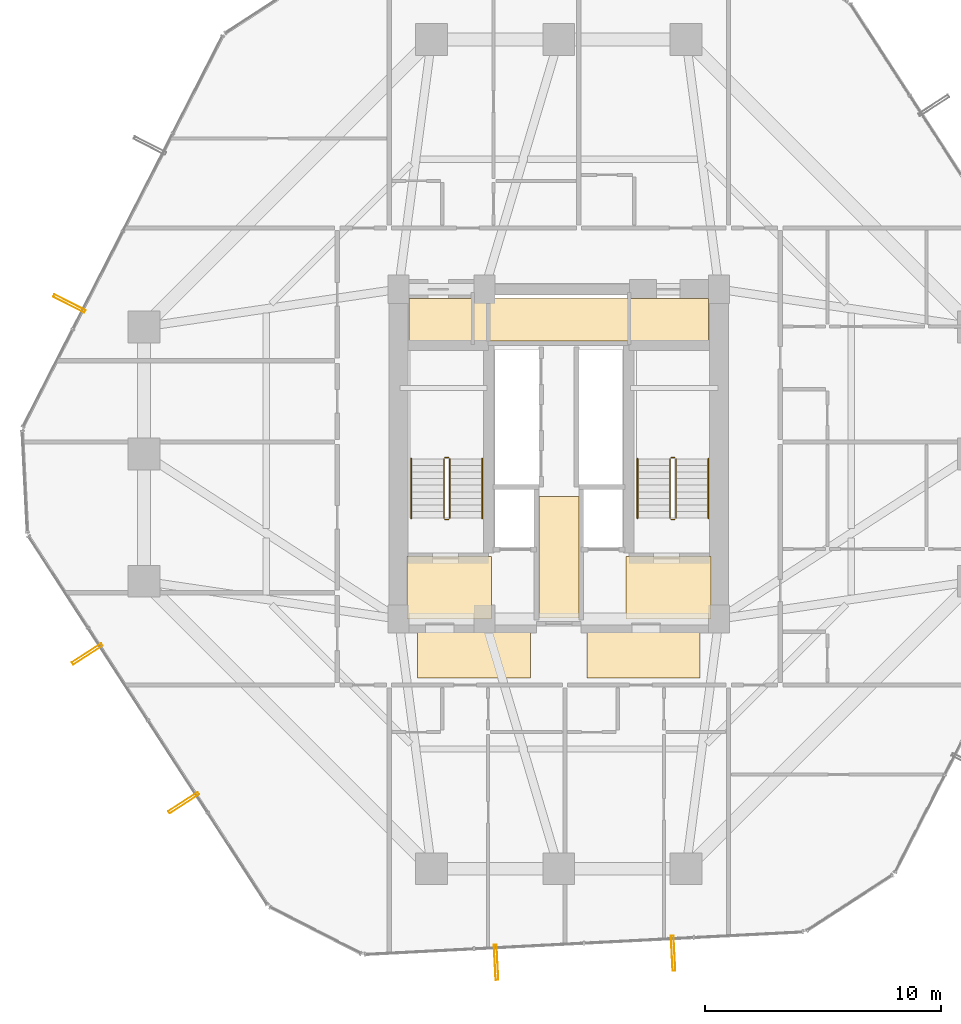
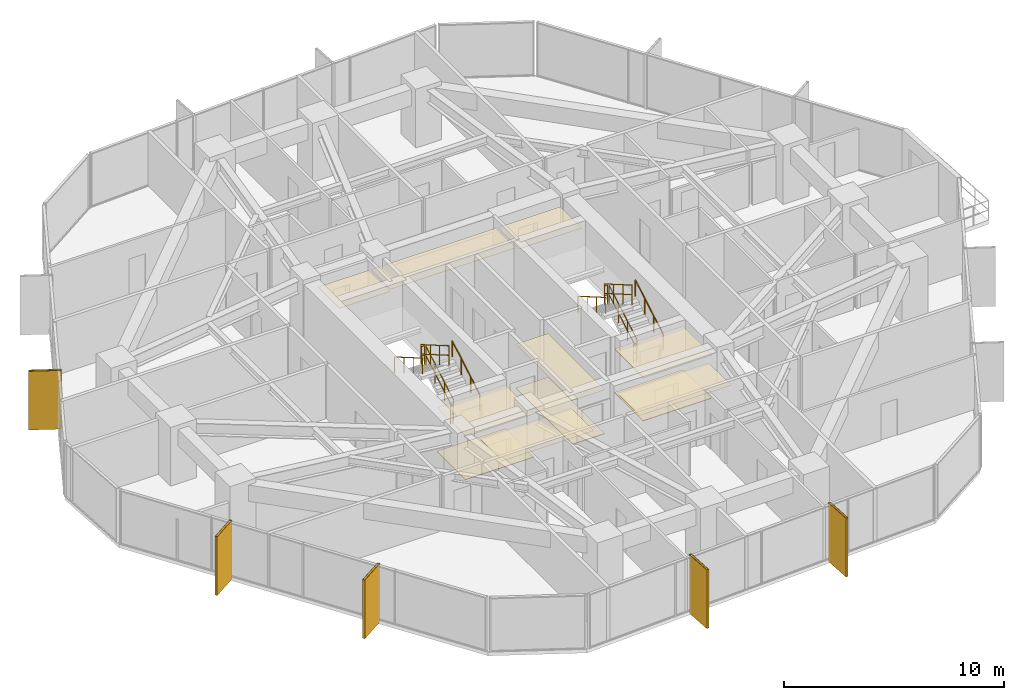
# One storey, part 36 of 37: 12 railings, 11 coverings, 5 shading devices.
"""IFC4 building model written with IfcOpenShell, lengths in metres."""

import ifcopenshell
import ifcopenshell.guid

model = None  # the IFC model being written
_history = None  # IfcOwnerHistory: only IFC2X3 demands one
_inside = {}  # id of a spatial element -> (the spatial element, [elements in it])
_under = {}  # id of a project, library or spatial element -> (it, [spatial elements below it])
_declared = {}  # id of a project -> (the project, [libraries it declares])
_typed = {}  # id of a type object -> (the type object, [elements of that type])
_made_of = {}  # id of a material, layer set ... -> (it, [elements and type objects made of it])


def new_model(schema):
    """Start an empty IFC model of exactly this schema.

    Asked for "IFC4X3", IfcOpenShell would pick the latest addendum, in which some entities
    have other attributes; the version numbers below select the first issue.
    IFC2X3 requires an IfcOwnerHistory on every rooted entity: one is made here for all.
    """
    global model, _history
    if schema == "IFC4X3":
        model = ifcopenshell.file(schema_version=(4, 3, 0, 0))
    else:
        model = ifcopenshell.file(schema=schema)
    _inside.clear()
    _under.clear()
    _declared.clear()
    _typed.clear()
    _made_of.clear()
    _history = None
    if model.schema == "IFC2X3":
        org = make("IfcOrganization", Name="unknown")
        user = make(
            "IfcPersonAndOrganization",
            ThePerson=make("IfcPerson", FamilyName="unknown"),
            TheOrganization=org,
        )
        app = make(
            "IfcApplication",
            ApplicationDeveloper=org,
            Version="unknown",
            ApplicationFullName="unknown",
            ApplicationIdentifier="unknown",
        )
        _history = make(
            "IfcOwnerHistory",
            OwningUser=user,
            OwningApplication=app,
            ChangeAction="ADDED",
            CreationDate=0,
        )
    return model


def make(cls, **values):
    """One entity of the class cls with the attributes given. An attribute that is None is left unset."""
    return model.create_entity(
        cls, **{name: value for name, value in values.items() if value is not None}
    )


def rooted(cls, **values):
    """An entity with a GlobalId (a new one), such as an element, a storey or a relation."""
    return make(cls, GlobalId=ifcopenshell.guid.new(), OwnerHistory=_history, **values)


def si_unit(unit_type, name, prefix=None):
    """IfcSIUnit, for example si_unit("LENGTHUNIT", "METRE", prefix="MILLI")."""
    return make("IfcSIUnit", UnitType=unit_type, Prefix=prefix, Name=name)


def assignment(units):
    """IfcUnitAssignment: the units of a project."""
    return None if units is None else make("IfcUnitAssignment", Units=units)


def point(xyz):
    """IfcCartesianPoint."""
    return None if xyz is None else make("IfcCartesianPoint", Coordinates=xyz)


def direction(xyz):
    """IfcDirection."""
    return None if xyz is None else make("IfcDirection", DirectionRatios=xyz)


def frame(location, z_axis=None, x_axis=None):
    """IfcAxis2Placement3D, a coordinate frame: its origin and axes. An axis left out is left unset."""
    return make(
        "IfcAxis2Placement3D",
        Location=point(location),
        Axis=direction(z_axis),
        RefDirection=direction(x_axis),
    )


def frame_2d(location, x_axis=None):
    """IfcAxis2Placement2D, a coordinate frame in the plane: its origin and x axis."""
    return make(
        "IfcAxis2Placement2D", Location=point(location), RefDirection=direction(x_axis)
    )


def origin():
    """The frame at (0, 0, 0) with its axes left unset."""
    return frame((0.0, 0.0, 0.0))


def origin_2d():
    """The frame at (0, 0) in the plane with its x axis left unset."""
    return frame_2d((0.0, 0.0))


def place(relative_to, where):
    """IfcLocalPlacement: puts the frame where relative to a parent placement (None: the world)."""
    return make(
        "IfcLocalPlacement", PlacementRelTo=relative_to, RelativePlacement=where
    )


def context(
    kind, dimensions, precision=None, world=None, true_north=None, identifier=None
):
    """IfcGeometricRepresentationContext, for example the 3D "Model" context."""
    return make(
        "IfcGeometricRepresentationContext",
        ContextIdentifier=identifier,
        ContextType=kind,
        CoordinateSpaceDimension=dimensions,
        Precision=precision,
        WorldCoordinateSystem=world,
        TrueNorth=true_north,
    )


def subcontext(parent, identifier, kind, view, scale=None):
    """IfcGeometricRepresentationSubContext, for example "Body" below "Model"."""
    return make(
        "IfcGeometricRepresentationSubContext",
        ContextIdentifier=identifier,
        ContextType=kind,
        ParentContext=parent,
        TargetScale=scale,
        TargetView=view,
    )


def project(units=None, contexts=None):
    """IfcProject with its units and contexts."""
    return rooted(
        "IfcProject",
        Name="project",
        RepresentationContexts=contexts,
        UnitsInContext=assignment(units),
    )


def spatial(cls, under=None, at=None, **own):
    """A site, building, storey or space (cls), placed at a placement, below another one or the project."""
    s = rooted(cls, ObjectPlacement=at, **own)
    if under is not None:
        _under.setdefault(under.id(), (under, []))[1].append(s)
    return s


def polyline(points):
    """IfcPolyline through the points."""
    return make("IfcPolyline", Points=[point(p) for p in points])


def profile(cls, at=None, kind="AREA", **sizes):
    """A parametric profile (cls). Its sizes go by their IFC names, for example OverallWidth=200.0."""
    return make(cls, ProfileType=kind, Position=at, **sizes)


def hollow_rectangle(**sizes):
    """IfcRectangleHollowProfileDef."""
    return profile("IfcRectangleHollowProfileDef", **sizes)


def circle(**sizes):
    """IfcCircleProfileDef."""
    return profile("IfcCircleProfileDef", **sizes)


def outline(outer, holes=None, kind="AREA"):
    """IfcArbitraryClosedProfileDef: a profile drawn as a closed curve; with holes, ...WithVoids."""
    if holes is None:
        return make("IfcArbitraryClosedProfileDef", ProfileType=kind, OuterCurve=outer)
    return make(
        "IfcArbitraryProfileDefWithVoids",
        ProfileType=kind,
        OuterCurve=outer,
        InnerCurves=holes,
    )


def extrude(swept, where, along, depth):
    """IfcExtrudedAreaSolid: the profile swept, set in the frame where, extruded along a direction by depth."""
    return make(
        "IfcExtrudedAreaSolid",
        SweptArea=swept,
        Position=where,
        ExtrudedDirection=direction(along),
        Depth=depth,
    )


def shape(context_of_items, identifier, shape_type, items):
    """IfcShapeRepresentation: the items that make up one representation, for example the "Body"."""
    return make(
        "IfcShapeRepresentation",
        ContextOfItems=context_of_items,
        RepresentationIdentifier=identifier,
        RepresentationType=shape_type,
        Items=items,
    )


def material(Name=None, Category=None):
    """IfcMaterial."""
    return make("IfcMaterial", Name=Name, Category=Category)


def layer(
    of_material, thickness, ventilated=None, Name=None, Category=None, Priority=None
):
    """IfcMaterialLayer: one layer of a wall or slab, of a material (None: an air gap)."""
    return make(
        "IfcMaterialLayer",
        Material=of_material,
        LayerThickness=thickness,
        IsVentilated=ventilated,
        Name=Name,
        Category=Category,
        Priority=Priority,
    )


def layer_set(layers, Name=None):
    """IfcMaterialLayerSet."""
    return make("IfcMaterialLayerSet", MaterialLayers=layers, LayerSetName=Name)


def material_profile(
    of_material, cross_section, Name=None, Category=None, Priority=None
):
    """IfcMaterialProfile: a cross section and its material."""
    return make(
        "IfcMaterialProfile",
        Name=Name,
        Material=of_material,
        Profile=cross_section,
        Priority=Priority,
        Category=Category,
    )


def profile_set(profiles, Name=None, composite=None):
    """IfcMaterialProfileSet."""
    return make(
        "IfcMaterialProfileSet",
        Name=Name,
        MaterialProfiles=profiles,
        CompositeProfile=composite,
    )


def made_of(thing, what):
    """Note that an element or type object is made of a material, layer set ...; save() writes the relation."""
    if what is not None:
        _made_of.setdefault(what.id(), (what, []))[1].append(thing)
    return thing


def type_object(cls, material=None, **own):
    """A type object (cls), such as IfcWallType, which elements share."""
    return made_of(rooted(cls, **own), material)


def element(
    cls,
    number,
    at=None,
    inside=None,
    cuts=None,
    type_object=None,
    material=None,
    context=None,
    identifier="Body",
    shape_type=None,
    held_by="IfcProductDefinitionShape",
    body=None,
    shapes=None,
    **own,
):
    """One element of the class cls, such as IfcWall. Its Tag is "e" and its number.

    at: its placement. inside: the storey or other place that contains it. cuts: it is an
    opening in that element (IfcRelVoidsElement). A single representation is given by context,
    identifier, shape_type and body (its items); several are given by shapes. held_by: the class
    of the entity that holds the representations. save() writes the other relations.
    """
    e = rooted(cls, Tag="e%d" % number, ObjectPlacement=at, **own)
    if body is not None:
        shapes = [shape(context, identifier, shape_type, body)]
    if shapes is not None:
        e.Representation = make(held_by, Representations=shapes)
    if inside is not None:
        _inside.setdefault(inside.id(), (inside, []))[1].append(e)
    if cuts is not None:
        rooted(
            "IfcRelVoidsElement", RelatingBuildingElement=cuts, RelatedOpeningElement=e
        )
    if type_object is not None:
        _typed.setdefault(type_object.id(), (type_object, []))[1].append(e)
    return made_of(e, material)


def aggregate(whole, parts):
    """IfcRelAggregates: a whole, such as a stair, and the parts it consists of."""
    return rooted("IfcRelAggregates", RelatingObject=whole, RelatedObjects=parts)


def save(model, path):
    """Write the relations noted so far, then the file.

    IfcRelAggregates (storeys below a building ...), IfcRelContainedInSpatialStructure (elements
    in a storey), IfcRelDefinesByType, IfcRelAssociatesMaterial and IfcRelDeclares: one each for
    every whole, place, type object, material and project.
    """
    for whole, parts in _under.values():
        aggregate(whole, parts)
    for where, things in _inside.values():
        rooted(
            "IfcRelContainedInSpatialStructure",
            RelatedElements=things,
            RelatingStructure=where,
        )
    for kind, things in _typed.values():
        rooted("IfcRelDefinesByType", RelatedObjects=things, RelatingType=kind)
    for what, things in _made_of.values():
        rooted("IfcRelAssociatesMaterial", RelatedObjects=things, RelatingMaterial=what)
    for by, libraries in _declared.values():
        rooted("IfcRelDeclares", RelatingContext=by, RelatedDefinitions=libraries)
    model.write(path)


model = new_model("IFC4")

# Units and contexts
model_context = context("Model", 3, precision=1e-05, world=origin(), true_north=direction((0.0, 1.0)))
body_context = subcontext(model_context, "Body", "Model", "MODEL_VIEW")
ifc_project = project(units=[si_unit("LENGTHUNIT", "METRE"), si_unit("AREAUNIT", "SQUARE_METRE"), si_unit("VOLUMEUNIT", "CUBIC_METRE"), si_unit("PLANEANGLEUNIT", "RADIAN"), si_unit("MASSUNIT", "GRAM", prefix="KILO")], contexts=[model_context])

# Site, building, storey
site_placement = place(None, origin())
site = spatial("IfcSite", under=ifc_project, at=site_placement, CompositionType="ELEMENT")
building_placement = place(site_placement, origin())
building = spatial("IfcBuilding", under=site, at=building_placement, Name="Veraguas Prism Commons", CompositionType="ELEMENT")
storey_placement = place(building_placement, frame((0.0, 0.0, 33.800048828125)))
storey = spatial("IfcBuildingStorey", under=building, at=storey_placement, Name="L08", CompositionType="ELEMENT", Elevation=33.800048828125)

# Shading devices
ifc_material_1 = material(Name="Anodised aluminium EN AW-6063 T6", Category="aluminium")
ifc_material_profile = material_profile(ifc_material_1, hollow_rectangle(XDim=0.1201171875, YDim=1.489990234375, WallThickness=0.006103515625, at=origin_2d()), Name="FIN120X1490X6")
ifc_profile_set = profile_set([ifc_material_profile], Name="Anodised aluminium EN AW-6063 T6")
shading_device_type = type_object("IfcShadingDeviceType", Name="Deep Pale-Metal Vertical Solar Fin 120x1490", PredefinedType="USERDEFINED", material=ifc_profile_set)
for number, where, z_axis, x_axis, name in (
    (1, (3.22314453125, 30.390625, -0.22998046875), (0.0, 0.0, 1.0), (-0.454923310491, -0.890530617987, 0.0), "Vertical Pale-Metal Solar Fin L08-F3B"),
    (2, (3.9873046875, 15.514404296875, -0.22998046875), (0.0, 0.0, 1.0), (0.543761947529, -0.83923950361, 0.0), "Vertical Pale-Metal Solar Fin L08-F4A"),
    (3, (8.0771484375, 9.2021484375, -0.22998046875), (0.0, 0.0, 1.0), (0.543761947529, -0.83923950361, 0.0), "Vertical Pale-Metal Solar Fin L08-F4B"),
    (4, (21.34228515625, 2.42578125, -0.22998046875), (0.0, 0.0, 1.0), (0.99868370375, 0.051291908366, 0.0), "Vertical Pale-Metal Solar Fin L08-F5A"),
    (5, (28.85400390625, 2.8115234375, -0.22998046875), (0.0, 0.0, 1.0), (0.99868370375, 0.051291908366, 0.0), "Vertical Pale-Metal Solar Fin L08-F5B"),
):
    element("IfcShadingDevice", number, at=place(storey_placement, frame(where, z_axis=z_axis, x_axis=x_axis)), inside=storey, type_object=shading_device_type, Name=name, ObjectType="FIN", PredefinedType="USERDEFINED", context=body_context, shape_type="SweptSolid", body=[
        extrude(hollow_rectangle(XDim=0.1201171875, YDim=1.489990234375, WallThickness=0.006103515625, at=origin_2d()), origin(), (0.0, 0.0, 1.0), 3.25),
    ])

# Coverings
ifc_material_2 = material(Name="Acoustic gypsum board")
ifc_layer_1 = layer(ifc_material_2, 0.02490234375, Name="Perforated Acoustic Ceiling Tile 25")
ifc_layer_set_1 = layer_set([ifc_layer_1], Name="Acoustic gypsum board")
covering_type_1 = type_object("IfcCoveringType", Name="Perforated Acoustic Ceiling Tile 25", PredefinedType="USERDEFINED", material=ifc_layer_set_1)
covering_1_placement = place(storey_placement, frame((0.0, 0.0, 2.425048828125)))
element("IfcCovering", 6, at=covering_1_placement, inside=storey, type_object=covering_type_1, Name="East Lobby Acoustic Ceiling L08", ObjectType="ACOUSTIC CEILING", PredefinedType="USERDEFINED", context=body_context, shape_type="SweptSolid", body=[
    extrude(outline(polyline([(26.85009765625, 17.0), (30.449951171875, 17.0), (30.449951171875, 19.64990234375), (26.85009765625, 19.64990234375), (26.85009765625, 17.0)])), origin(), (0.0, 0.0, 1.0), 0.02490234375),
])
ifc_material_3 = material(Name="Terrazzo stone finish", Category="masonry")
ifc_layer_2 = layer(ifc_material_3, 0.030029296875, Name="Polished Terrazzo Floor Finish 30", Category="masonry")
ifc_layer_set_2 = layer_set([ifc_layer_2], Name="Terrazzo stone finish")
covering_type_2 = type_object("IfcCoveringType", Name="Polished Terrazzo Floor Finish 30", PredefinedType="FLOORING", material=ifc_layer_set_2)
covering_2_placement = place(storey_placement, origin())
element("IfcCovering", 7, at=covering_2_placement, inside=storey, type_object=covering_type_2, Name="Terrazzo Lobby Flooring L08", PredefinedType="FLOORING", context=body_context, shape_type="SweptSolid", body=[
    extrude(outline(polyline([(23.14990234375, 17.050048828125), (24.85009765625, 17.050048828125), (24.85009765625, 22.199951171875), (23.14990234375, 22.199951171875), (23.14990234375, 17.050048828125)])), origin(), (0.0, 0.0, 1.0), 0.030029296875),
])
covering_3_placement = place(storey_placement, origin())
element("IfcCovering", 8, at=covering_3_placement, inside=storey, type_object=covering_type_2, Name="West FF Lobby Terrazzo Flooring L08", PredefinedType="FLOORING", context=body_context, shape_type="SweptSolid", body=[
    extrude(outline(polyline([(17.550048828125, 17.050048828125), (21.14990234375, 17.050048828125), (21.14990234375, 19.64990234375), (17.550048828125, 19.64990234375), (17.550048828125, 17.050048828125)])), origin(), (0.0, 0.0, 1.0), 0.030029296875),
])
covering_4_placement = place(storey_placement, origin())
element("IfcCovering", 9, at=covering_4_placement, inside=storey, type_object=covering_type_2, Name="East FF Lobby Terrazzo Flooring L08", PredefinedType="FLOORING", context=body_context, shape_type="SweptSolid", body=[
    extrude(outline(polyline([(26.85009765625, 17.050048828125), (30.449951171875, 17.050048828125), (30.449951171875, 19.64990234375), (26.85009765625, 19.64990234375), (26.85009765625, 17.050048828125)])), origin(), (0.0, 0.0, 1.0), 0.030029296875),
])

# Railings
ifc_material_4 = material(Name="Stainless steel AISI 316", Category="steel")
railing_type_1 = type_object("IfcRailingType", Name="Stair and Ramp Stainless Handrail 900", PredefinedType="HANDRAIL", material=ifc_material_4)
railing_1_placement = place(storey_placement, frame((20.75, 21.280029296875, 0.162353515625)))
element("IfcRailing", 10, at=railing_1_placement, inside=storey, type_object=railing_type_1, Name="Stair Handrail ST-01 L08-1", PredefinedType="HANDRAIL", context=body_context, shape_type="SweptSolid", body=[
    extrude(circle(Radius=0.02392578125, at=origin_2d()), frame((0.0, 0.0, 0.8759765625), z_axis=(0.0, 0.864876961378, 0.501983905795), x_axis=(-1.0, 0.0, 0.0)), (0.0, 0.0, 1.0), 2.913818359375),
    extrude(circle(Radius=0.02099609375, at=origin_2d()), origin(), (0.0, 0.0, 1.0), 0.851806640625),
    extrude(circle(Radius=0.02099609375, at=origin_2d()), frame((0.0, 0.840087890625, 0.487548828125)), (0.0, 0.0, 1.0), 0.851806640625),
    extrude(circle(Radius=0.02099609375, at=origin_2d()), frame((0.0, 1.679931640625, 0.97509765625)), (0.0, 0.0, 1.0), 0.851806640625),
    extrude(circle(Radius=0.02099609375, at=origin_2d()), frame((0.0, 2.52001953125, 1.462646484375)), (0.0, 0.0, 1.0), 0.851806640625),
])
railing_2_placement = place(storey_placement, frame((17.739990234375, 23.800048828125, 1.787353515625)))
element("IfcRailing", 11, at=railing_2_placement, inside=storey, type_object=railing_type_1, Name="Stair Handrail ST-01 L08-2", PredefinedType="HANDRAIL", context=body_context, shape_type="SweptSolid", body=[
    extrude(circle(Radius=0.02392578125, at=origin_2d()), frame((0.0, 0.0, 0.8759765625), z_axis=(0.0, -0.864876961378, 0.501983905795), x_axis=(1.0, 0.0, 0.0)), (0.0, 0.0, 1.0), 2.913818359375),
    extrude(circle(Radius=0.02099609375, at=origin_2d()), origin(), (0.0, 0.0, 1.0), 0.851806640625),
    extrude(circle(Radius=0.02099609375, at=origin_2d()), frame((0.0, -0.840087890625, 0.487548828125)), (0.0, 0.0, 1.0), 0.851806640625),
    extrude(circle(Radius=0.02099609375, at=origin_2d()), frame((0.0, -1.679931640625, 0.97509765625)), (0.0, 0.0, 1.0), 0.851806640625),
    extrude(circle(Radius=0.02099609375, at=origin_2d()), frame((0.0, -2.52001953125, 1.462646484375)), (0.0, 0.0, 1.0), 0.851806640625),
])
railing_3_placement = place(storey_placement, frame((30.35009765625, 21.280029296875, 0.162353515625)))
element("IfcRailing", 12, at=railing_3_placement, inside=storey, type_object=railing_type_1, Name="Stair Handrail ST-02 L08-1", PredefinedType="HANDRAIL", context=body_context, shape_type="SweptSolid", body=[
    extrude(circle(Radius=0.02392578125, at=origin_2d()), frame((0.0, 0.0, 0.8759765625), z_axis=(0.0, 0.864876961378, 0.501983905795), x_axis=(-1.0, 0.0, 0.0)), (0.0, 0.0, 1.0), 2.913818359375),
    extrude(circle(Radius=0.02099609375, at=origin_2d()), origin(), (0.0, 0.0, 1.0), 0.851806640625),
    extrude(circle(Radius=0.02099609375, at=origin_2d()), frame((0.0, 0.840087890625, 0.487548828125)), (0.0, 0.0, 1.0), 0.851806640625),
    extrude(circle(Radius=0.02099609375, at=origin_2d()), frame((0.0, 1.679931640625, 0.97509765625)), (0.0, 0.0, 1.0), 0.851806640625),
    extrude(circle(Radius=0.02099609375, at=origin_2d()), frame((0.0, 2.52001953125, 1.462646484375)), (0.0, 0.0, 1.0), 0.851806640625),
])
railing_4_placement = place(storey_placement, frame((27.340087890625, 23.800048828125, 1.787353515625)))
element("IfcRailing", 13, at=railing_4_placement, inside=storey, type_object=railing_type_1, Name="Stair Handrail ST-02 L08-2", PredefinedType="HANDRAIL", context=body_context, shape_type="SweptSolid", body=[
    extrude(circle(Radius=0.02392578125, at=origin_2d()), frame((0.0, 0.0, 0.8759765625), z_axis=(0.0, -0.864876961378, 0.501983905795), x_axis=(1.0, 0.0, 0.0)), (0.0, 0.0, 1.0), 2.913818359375),
    extrude(circle(Radius=0.02099609375, at=origin_2d()), origin(), (0.0, 0.0, 1.0), 0.851806640625),
    extrude(circle(Radius=0.02099609375, at=origin_2d()), frame((0.0, -0.840087890625, 0.487548828125)), (0.0, 0.0, 1.0), 0.851806640625),
    extrude(circle(Radius=0.02099609375, at=origin_2d()), frame((0.0, -1.679931640625, 0.97509765625)), (0.0, 0.0, 1.0), 0.851806640625),
    extrude(circle(Radius=0.02099609375, at=origin_2d()), frame((0.0, -2.52001953125, 1.462646484375)), (0.0, 0.0, 1.0), 0.851806640625),
])
railing_type_2 = type_object("IfcRailingType", Name="Stairwell Safety Guardrail 1100", PredefinedType="GUARDRAIL", material=ifc_material_4)
railing_5_placement = place(storey_placement, frame((19.3701171875, 21.280029296875, 0.162353515625)))
element("IfcRailing", 14, at=railing_5_placement, inside=storey, type_object=railing_type_2, Name="Stair Guard ST-01 L08-1", PredefinedType="GUARDRAIL", context=body_context, shape_type="SweptSolid", body=[
    extrude(circle(Radius=0.02392578125, at=origin_2d()), frame((0.0, 0.0, 1.076171875), z_axis=(0.0, 0.864876961378, 0.501983905795), x_axis=(-1.0, 0.0, 0.0)), (0.0, 0.0, 1.0), 2.913818359375),
    extrude(circle(Radius=0.02392578125, at=origin_2d()), frame((0.0, 0.0, 0.550048828125), z_axis=(0.0, 0.864876961378, 0.501983905795), x_axis=(-1.0, 0.0, 0.0)), (0.0, 0.0, 1.0), 2.913818359375),
    extrude(circle(Radius=0.02099609375, at=origin_2d()), origin(), (0.0, 0.0, 1.0), 1.052001953125),
    extrude(circle(Radius=0.02099609375, at=origin_2d()), frame((0.0, 0.840087890625, 0.487548828125)), (0.0, 0.0, 1.0), 1.052001953125),
    extrude(circle(Radius=0.02099609375, at=origin_2d()), frame((0.0, 1.679931640625, 0.97509765625)), (0.0, 0.0, 1.0), 1.052001953125),
    extrude(circle(Radius=0.02099609375, at=origin_2d()), frame((0.0, 2.52001953125, 1.462646484375)), (0.0, 0.0, 1.0), 1.052001953125),
])
railing_6_placement = place(storey_placement, frame((19.320068359375, 23.85009765625, 1.625)))
element("IfcRailing", 15, at=railing_6_placement, inside=storey, type_object=railing_type_2, Name="Stair Guard ST-01 L08-2", PredefinedType="GUARDRAIL", context=body_context, shape_type="SweptSolid", body=[
    extrude(circle(Radius=0.02392578125, at=origin_2d()), frame((0.0, 0.0, 1.076171875), z_axis=(-1.0, 0.0, 0.0), x_axis=(0.0, -1.0, 0.0)), (0.0, 0.0, 1.0), 0.150146484375),
    extrude(circle(Radius=0.02392578125, at=origin_2d()), frame((0.0, 0.0, 0.550048828125), z_axis=(-1.0, 0.0, 0.0), x_axis=(0.0, -1.0, 0.0)), (0.0, 0.0, 1.0), 0.150146484375),
    extrude(circle(Radius=0.02099609375, at=origin_2d()), origin(), (0.0, 0.0, 1.0), 1.052001953125),
    extrude(circle(Radius=0.02099609375, at=origin_2d()), frame((-0.150146484375, 0.0, 0.0)), (0.0, 0.0, 1.0), 1.052001953125),
])
railing_7_placement = place(storey_placement, frame((19.1201171875, 23.800048828125, 1.787353515625)))
element("IfcRailing", 16, at=railing_7_placement, inside=storey, type_object=railing_type_2, Name="Stair Guard ST-01 L08-3", PredefinedType="GUARDRAIL", context=body_context, shape_type="SweptSolid", body=[
    extrude(circle(Radius=0.02392578125, at=origin_2d()), frame((0.0, 0.0, 1.076171875), z_axis=(0.0, -0.864876961378, 0.501983905795), x_axis=(1.0, 0.0, 0.0)), (0.0, 0.0, 1.0), 2.913818359375),
    extrude(circle(Radius=0.02392578125, at=origin_2d()), frame((0.0, 0.0, 0.550048828125), z_axis=(0.0, -0.864876961378, 0.501983905795), x_axis=(1.0, 0.0, 0.0)), (0.0, 0.0, 1.0), 2.913818359375),
    extrude(circle(Radius=0.02099609375, at=origin_2d()), origin(), (0.0, 0.0, 1.0), 1.052001953125),
    extrude(circle(Radius=0.02099609375, at=origin_2d()), frame((0.0, -0.840087890625, 0.487548828125)), (0.0, 0.0, 1.0), 1.052001953125),
    extrude(circle(Radius=0.02099609375, at=origin_2d()), frame((0.0, -1.679931640625, 0.97509765625)), (0.0, 0.0, 1.0), 1.052001953125),
    extrude(circle(Radius=0.02099609375, at=origin_2d()), frame((0.0, -2.52001953125, 1.462646484375)), (0.0, 0.0, 1.0), 1.052001953125),
])
railing_8_placement = place(storey_placement, frame((19.320068359375, 21.22998046875, 0.0)))
element("IfcRailing", 17, at=railing_8_placement, inside=storey, type_object=railing_type_2, Name="Stair Guard ST-01 L08-4", PredefinedType="GUARDRAIL", context=body_context, shape_type="SweptSolid", body=[
    extrude(circle(Radius=0.02392578125, at=origin_2d()), frame((0.0, 0.0, 1.076171875), z_axis=(-1.0, 0.0, 0.0), x_axis=(0.0, -1.0, 0.0)), (0.0, 0.0, 1.0), 0.150146484375),
    extrude(circle(Radius=0.02392578125, at=origin_2d()), frame((0.0, 0.0, 0.550048828125), z_axis=(-1.0, 0.0, 0.0), x_axis=(0.0, -1.0, 0.0)), (0.0, 0.0, 1.0), 0.150146484375),
    extrude(circle(Radius=0.02099609375, at=origin_2d()), origin(), (0.0, 0.0, 1.0), 1.052001953125),
    extrude(circle(Radius=0.02099609375, at=origin_2d()), frame((-0.150146484375, 0.0, 0.0)), (0.0, 0.0, 1.0), 1.052001953125),
])
railing_9_placement = place(storey_placement, frame((28.969970703125, 21.280029296875, 0.162353515625)))
element("IfcRailing", 18, at=railing_9_placement, inside=storey, type_object=railing_type_2, Name="Stair Guard ST-02 L08-1", PredefinedType="GUARDRAIL", context=body_context, shape_type="SweptSolid", body=[
    extrude(circle(Radius=0.02392578125, at=origin_2d()), frame((0.0, 0.0, 1.076171875), z_axis=(0.0, 0.864876961378, 0.501983905795), x_axis=(-1.0, 0.0, 0.0)), (0.0, 0.0, 1.0), 2.913818359375),
    extrude(circle(Radius=0.02392578125, at=origin_2d()), frame((0.0, 0.0, 0.550048828125), z_axis=(0.0, 0.864876961378, 0.501983905795), x_axis=(-1.0, 0.0, 0.0)), (0.0, 0.0, 1.0), 2.913818359375),
    extrude(circle(Radius=0.02099609375, at=origin_2d()), origin(), (0.0, 0.0, 1.0), 1.052001953125),
    extrude(circle(Radius=0.02099609375, at=origin_2d()), frame((0.0, 0.840087890625, 0.487548828125)), (0.0, 0.0, 1.0), 1.052001953125),
    extrude(circle(Radius=0.02099609375, at=origin_2d()), frame((0.0, 1.679931640625, 0.97509765625)), (0.0, 0.0, 1.0), 1.052001953125),
    extrude(circle(Radius=0.02099609375, at=origin_2d()), frame((0.0, 2.52001953125, 1.462646484375)), (0.0, 0.0, 1.0), 1.052001953125),
])
railing_10_placement = place(storey_placement, frame((28.919921875, 23.85009765625, 1.625)))
element("IfcRailing", 19, at=railing_10_placement, inside=storey, type_object=railing_type_2, Name="Stair Guard ST-02 L08-2", PredefinedType="GUARDRAIL", context=body_context, shape_type="SweptSolid", body=[
    extrude(circle(Radius=0.02392578125, at=origin_2d()), frame((0.0, 0.0, 1.076171875), z_axis=(-1.0, 0.0, 0.0), x_axis=(0.0, -1.0, 0.0)), (0.0, 0.0, 1.0), 0.14990234375),
    extrude(circle(Radius=0.02392578125, at=origin_2d()), frame((0.0, 0.0, 0.550048828125), z_axis=(-1.0, 0.0, 0.0), x_axis=(0.0, -1.0, 0.0)), (0.0, 0.0, 1.0), 0.14990234375),
    extrude(circle(Radius=0.02099609375, at=origin_2d()), origin(), (0.0, 0.0, 1.0), 1.052001953125),
    extrude(circle(Radius=0.02099609375, at=origin_2d()), frame((-0.14990234375, 0.0, 0.0)), (0.0, 0.0, 1.0), 1.052001953125),
])
railing_11_placement = place(storey_placement, frame((28.719970703125, 23.800048828125, 1.787353515625)))
element("IfcRailing", 20, at=railing_11_placement, inside=storey, type_object=railing_type_2, Name="Stair Guard ST-02 L08-3", PredefinedType="GUARDRAIL", context=body_context, shape_type="SweptSolid", body=[
    extrude(circle(Radius=0.02392578125, at=origin_2d()), frame((0.0, 0.0, 1.076171875), z_axis=(0.0, -0.864876961378, 0.501983905795), x_axis=(1.0, 0.0, 0.0)), (0.0, 0.0, 1.0), 2.913818359375),
    extrude(circle(Radius=0.02392578125, at=origin_2d()), frame((0.0, 0.0, 0.550048828125), z_axis=(0.0, -0.864876961378, 0.501983905795), x_axis=(1.0, 0.0, 0.0)), (0.0, 0.0, 1.0), 2.913818359375),
    extrude(circle(Radius=0.02099609375, at=origin_2d()), origin(), (0.0, 0.0, 1.0), 1.052001953125),
    extrude(circle(Radius=0.02099609375, at=origin_2d()), frame((0.0, -0.840087890625, 0.487548828125)), (0.0, 0.0, 1.0), 1.052001953125),
    extrude(circle(Radius=0.02099609375, at=origin_2d()), frame((0.0, -1.679931640625, 0.97509765625)), (0.0, 0.0, 1.0), 1.052001953125),
    extrude(circle(Radius=0.02099609375, at=origin_2d()), frame((0.0, -2.52001953125, 1.462646484375)), (0.0, 0.0, 1.0), 1.052001953125),
])
railing_12_placement = place(storey_placement, frame((28.919921875, 21.22998046875, 0.0)))
element("IfcRailing", 21, at=railing_12_placement, inside=storey, type_object=railing_type_2, Name="Stair Guard ST-02 L08-4", PredefinedType="GUARDRAIL", context=body_context, shape_type="SweptSolid", body=[
    extrude(circle(Radius=0.02392578125, at=origin_2d()), frame((0.0, 0.0, 1.076171875), z_axis=(-1.0, 0.0, 0.0), x_axis=(0.0, -1.0, 0.0)), (0.0, 0.0, 1.0), 0.14990234375),
    extrude(circle(Radius=0.02392578125, at=origin_2d()), frame((0.0, 0.0, 0.550048828125), z_axis=(-1.0, 0.0, 0.0), x_axis=(0.0, -1.0, 0.0)), (0.0, 0.0, 1.0), 0.14990234375),
    extrude(circle(Radius=0.02099609375, at=origin_2d()), origin(), (0.0, 0.0, 1.0), 1.052001953125),
    extrude(circle(Radius=0.02099609375, at=origin_2d()), frame((-0.14990234375, 0.0, 0.0)), (0.0, 0.0, 1.0), 1.052001953125),
])

# Coverings
ifc_layer_3 = layer(ifc_material_2, 0.02001953125, Name="Suspended Gypsum Ceiling 20")
ifc_layer_set_3 = layer_set([ifc_layer_3], Name="Acoustic gypsum board")
covering_type_3 = type_object("IfcCoveringType", Name="Suspended Gypsum Ceiling 20", PredefinedType="CEILING", material=ifc_layer_set_3)
covering_5_placement = place(storey_placement, frame((0.0, 0.0, 2.429931640625)))
element("IfcCovering", 22, at=covering_5_placement, inside=storey, type_object=covering_type_3, Name="West Lobby Suspended Gypsum Ceiling L08", PredefinedType="CEILING", context=body_context, shape_type="SweptSolid", body=[
    extrude(outline(polyline([(17.550048828125, 17.0), (21.14990234375, 17.0), (21.14990234375, 19.64990234375), (17.550048828125, 19.64990234375), (17.550048828125, 17.0)])), origin(), (0.0, 0.0, 1.0), 0.02001953125),
])
covering_6_placement = place(storey_placement, frame((0.0, 0.0, 2.429931640625)))
element("IfcCovering", 23, at=covering_6_placement, inside=storey, type_object=covering_type_3, Name="Core Lobby Acoustic Ceiling L08-1", PredefinedType="CEILING", context=body_context, shape_type="SweptSolid", body=[
    extrude(outline(polyline([(18.0, 14.5), (22.800048828125, 14.5), (22.800048828125, 16.550048828125), (18.0, 16.550048828125), (18.0, 14.5)])), origin(), (0.0, 0.0, 1.0), 0.02001953125),
])
covering_7_placement = place(storey_placement, frame((0.0, 0.0, 2.429931640625)))
element("IfcCovering", 24, at=covering_7_placement, inside=storey, type_object=covering_type_3, Name="Core Lobby Acoustic Ceiling L08-2", PredefinedType="CEILING", context=body_context, shape_type="SweptSolid", body=[
    extrude(outline(polyline([(25.199951171875, 14.5), (30.0, 14.5), (30.0, 16.550048828125), (25.199951171875, 16.550048828125), (25.199951171875, 14.5)])), origin(), (0.0, 0.0, 1.0), 0.02001953125),
])
covering_8_placement = place(storey_placement, frame((0.0, 0.0, 2.429931640625)))
element("IfcCovering", 25, at=covering_8_placement, inside=storey, type_object=covering_type_3, Name="Core Lobby Acoustic Ceiling L08-3", PredefinedType="CEILING", context=body_context, shape_type="SweptSolid", body=[
    extrude(outline(polyline([(23.14990234375, 17.050048828125), (24.85009765625, 17.050048828125), (24.85009765625, 22.199951171875), (23.14990234375, 22.199951171875), (23.14990234375, 17.050048828125)])), origin(), (0.0, 0.0, 1.0), 0.02001953125),
])
covering_9_placement = place(storey_placement, frame((0.0, 0.0, 2.429931640625)))
element("IfcCovering", 26, at=covering_9_placement, inside=storey, type_object=covering_type_3, Name="Core Lobby Acoustic Ceiling L08-4", PredefinedType="CEILING", context=body_context, shape_type="SweptSolid", body=[
    extrude(outline(polyline([(17.64990234375, 28.64990234375), (20.300048828125, 28.64990234375), (20.300048828125, 30.60009765625), (17.64990234375, 30.60009765625), (17.64990234375, 28.64990234375)])), origin(), (0.0, 0.0, 1.0), 0.02001953125),
])
covering_10_placement = place(storey_placement, frame((0.0, 0.0, 2.429931640625)))
element("IfcCovering", 27, at=covering_10_placement, inside=storey, type_object=covering_type_3, Name="Core Lobby Acoustic Ceiling L08-5", PredefinedType="CEILING", context=body_context, shape_type="SweptSolid", body=[
    extrude(outline(polyline([(27.050048828125, 28.64990234375), (30.35009765625, 28.64990234375), (30.35009765625, 30.60009765625), (27.050048828125, 30.60009765625), (27.050048828125, 28.64990234375)])), origin(), (0.0, 0.0, 1.0), 0.02001953125),
])
covering_11_placement = place(storey_placement, frame((0.0, 0.0, 2.429931640625)))
element("IfcCovering", 28, at=covering_11_placement, inside=storey, type_object=covering_type_3, Name="Core Lobby Acoustic Ceiling L08-6", PredefinedType="CEILING", context=body_context, shape_type="SweptSolid", body=[
    extrude(outline(polyline([(20.39990234375, 28.800048828125), (26.949951171875, 28.800048828125), (26.949951171875, 30.60009765625), (20.39990234375, 30.60009765625), (20.39990234375, 28.800048828125)])), origin(), (0.0, 0.0, 1.0), 0.02001953125),
])

save(model, "model.ifc")
